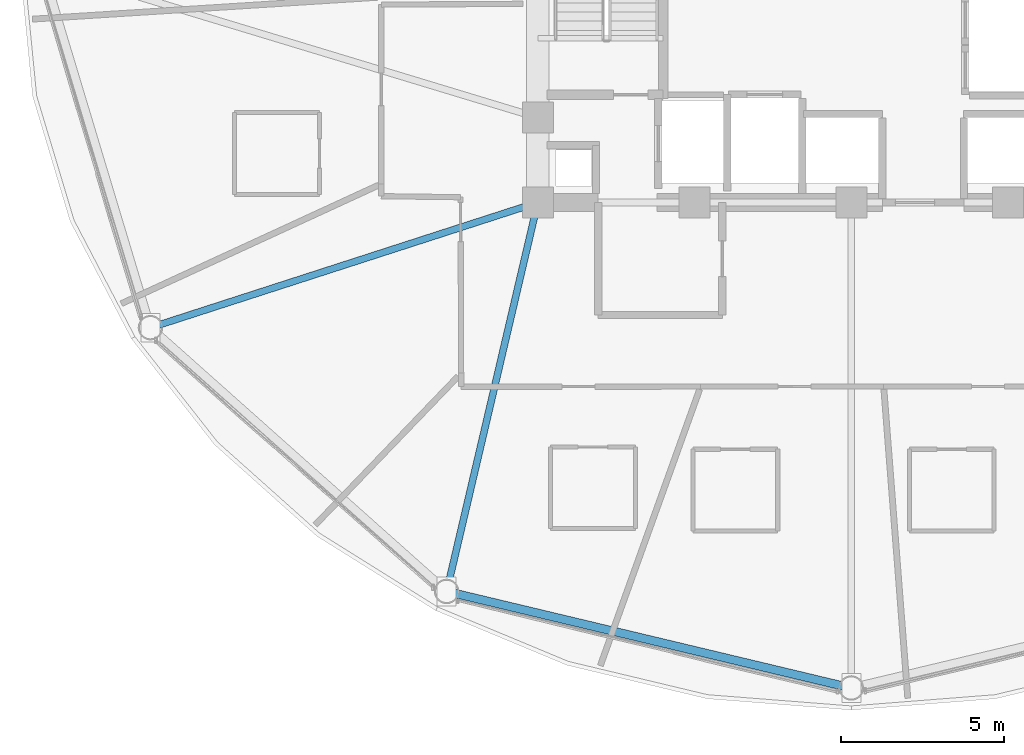
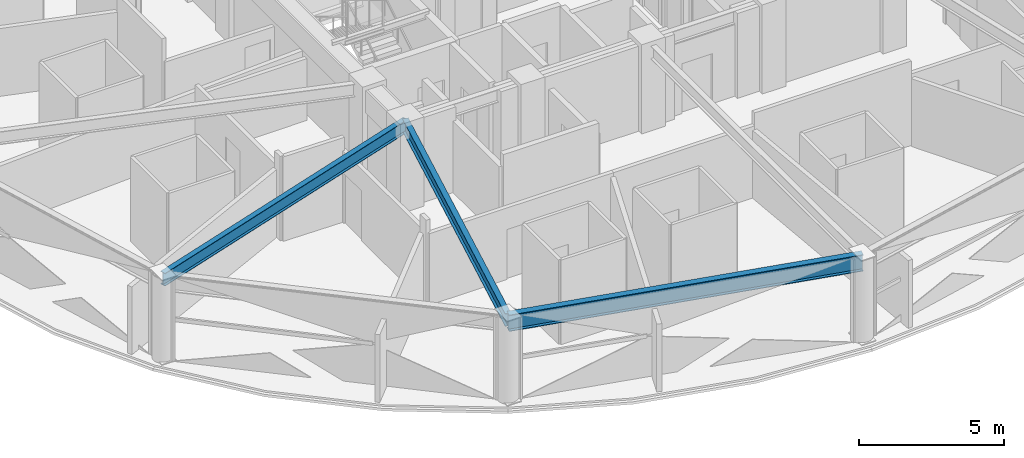
# One storey, part 4 of 30: 3 beams.
"""IFC4 building model written with IfcOpenShell, lengths in metres."""

import ifcopenshell
import ifcopenshell.guid

model = None  # the IFC model being written
_history = None  # IfcOwnerHistory: only IFC2X3 demands one
_inside = {}  # id of a spatial element -> (the spatial element, [elements in it])
_under = {}  # id of a project, library or spatial element -> (it, [spatial elements below it])
_declared = {}  # id of a project -> (the project, [libraries it declares])
_typed = {}  # id of a type object -> (the type object, [elements of that type])
_made_of = {}  # id of a material, layer set ... -> (it, [elements and type objects made of it])


def new_model(schema):
    """Start an empty IFC model of exactly this schema.

    Asked for "IFC4X3", IfcOpenShell would pick the latest addendum, in which some entities
    have other attributes; the version numbers below select the first issue.
    IFC2X3 requires an IfcOwnerHistory on every rooted entity: one is made here for all.
    """
    global model, _history
    if schema == "IFC4X3":
        model = ifcopenshell.file(schema_version=(4, 3, 0, 0))
    else:
        model = ifcopenshell.file(schema=schema)
    _inside.clear()
    _under.clear()
    _declared.clear()
    _typed.clear()
    _made_of.clear()
    _history = None
    if model.schema == "IFC2X3":
        org = make("IfcOrganization", Name="unknown")
        user = make(
            "IfcPersonAndOrganization",
            ThePerson=make("IfcPerson", FamilyName="unknown"),
            TheOrganization=org,
        )
        app = make(
            "IfcApplication",
            ApplicationDeveloper=org,
            Version="unknown",
            ApplicationFullName="unknown",
            ApplicationIdentifier="unknown",
        )
        _history = make(
            "IfcOwnerHistory",
            OwningUser=user,
            OwningApplication=app,
            ChangeAction="ADDED",
            CreationDate=0,
        )
    return model


def make(cls, **values):
    """One entity of the class cls with the attributes given. An attribute that is None is left unset."""
    return model.create_entity(
        cls, **{name: value for name, value in values.items() if value is not None}
    )


def rooted(cls, **values):
    """An entity with a GlobalId (a new one), such as an element, a storey or a relation."""
    return make(cls, GlobalId=ifcopenshell.guid.new(), OwnerHistory=_history, **values)


def si_unit(unit_type, name, prefix=None):
    """IfcSIUnit, for example si_unit("LENGTHUNIT", "METRE", prefix="MILLI")."""
    return make("IfcSIUnit", UnitType=unit_type, Prefix=prefix, Name=name)


def assignment(units):
    """IfcUnitAssignment: the units of a project."""
    return None if units is None else make("IfcUnitAssignment", Units=units)


def point(xyz):
    """IfcCartesianPoint."""
    return None if xyz is None else make("IfcCartesianPoint", Coordinates=xyz)


def direction(xyz):
    """IfcDirection."""
    return None if xyz is None else make("IfcDirection", DirectionRatios=xyz)


def frame(location, z_axis=None, x_axis=None):
    """IfcAxis2Placement3D, a coordinate frame: its origin and axes. An axis left out is left unset."""
    return make(
        "IfcAxis2Placement3D",
        Location=point(location),
        Axis=direction(z_axis),
        RefDirection=direction(x_axis),
    )


def frame_2d(location, x_axis=None):
    """IfcAxis2Placement2D, a coordinate frame in the plane: its origin and x axis."""
    return make(
        "IfcAxis2Placement2D", Location=point(location), RefDirection=direction(x_axis)
    )


def origin():
    """The frame at (0, 0, 0) with its axes left unset."""
    return frame((0.0, 0.0, 0.0))


def origin_2d():
    """The frame at (0, 0) in the plane with its x axis left unset."""
    return frame_2d((0.0, 0.0))


def place(relative_to, where):
    """IfcLocalPlacement: puts the frame where relative to a parent placement (None: the world)."""
    return make(
        "IfcLocalPlacement", PlacementRelTo=relative_to, RelativePlacement=where
    )


def context(
    kind, dimensions, precision=None, world=None, true_north=None, identifier=None
):
    """IfcGeometricRepresentationContext, for example the 3D "Model" context."""
    return make(
        "IfcGeometricRepresentationContext",
        ContextIdentifier=identifier,
        ContextType=kind,
        CoordinateSpaceDimension=dimensions,
        Precision=precision,
        WorldCoordinateSystem=world,
        TrueNorth=true_north,
    )


def subcontext(parent, identifier, kind, view, scale=None):
    """IfcGeometricRepresentationSubContext, for example "Body" below "Model"."""
    return make(
        "IfcGeometricRepresentationSubContext",
        ContextIdentifier=identifier,
        ContextType=kind,
        ParentContext=parent,
        TargetScale=scale,
        TargetView=view,
    )


def project(units=None, contexts=None):
    """IfcProject with its units and contexts."""
    return rooted(
        "IfcProject",
        Name="project",
        RepresentationContexts=contexts,
        UnitsInContext=assignment(units),
    )


def spatial(cls, under=None, at=None, **own):
    """A site, building, storey or space (cls), placed at a placement, below another one or the project."""
    s = rooted(cls, ObjectPlacement=at, **own)
    if under is not None:
        _under.setdefault(under.id(), (under, []))[1].append(s)
    return s


def profile(cls, at=None, kind="AREA", **sizes):
    """A parametric profile (cls). Its sizes go by their IFC names, for example OverallWidth=200.0."""
    return make(cls, ProfileType=kind, Position=at, **sizes)


def i_section(**sizes):
    """IfcIShapeProfileDef."""
    return profile("IfcIShapeProfileDef", **sizes)


def extrude(swept, where, along, depth):
    """IfcExtrudedAreaSolid: the profile swept, set in the frame where, extruded along a direction by depth."""
    return make(
        "IfcExtrudedAreaSolid",
        SweptArea=swept,
        Position=where,
        ExtrudedDirection=direction(along),
        Depth=depth,
    )


def shape(context_of_items, identifier, shape_type, items):
    """IfcShapeRepresentation: the items that make up one representation, for example the "Body"."""
    return make(
        "IfcShapeRepresentation",
        ContextOfItems=context_of_items,
        RepresentationIdentifier=identifier,
        RepresentationType=shape_type,
        Items=items,
    )


def material(Name=None, Category=None):
    """IfcMaterial."""
    return make("IfcMaterial", Name=Name, Category=Category)


def material_profile(
    of_material, cross_section, Name=None, Category=None, Priority=None
):
    """IfcMaterialProfile: a cross section and its material."""
    return make(
        "IfcMaterialProfile",
        Name=Name,
        Material=of_material,
        Profile=cross_section,
        Priority=Priority,
        Category=Category,
    )


def profile_set(profiles, Name=None, composite=None):
    """IfcMaterialProfileSet."""
    return make(
        "IfcMaterialProfileSet",
        Name=Name,
        MaterialProfiles=profiles,
        CompositeProfile=composite,
    )


def made_of(thing, what):
    """Note that an element or type object is made of a material, layer set ...; save() writes the relation."""
    if what is not None:
        _made_of.setdefault(what.id(), (what, []))[1].append(thing)
    return thing


def type_object(cls, material=None, **own):
    """A type object (cls), such as IfcWallType, which elements share."""
    return made_of(rooted(cls, **own), material)


def element(
    cls,
    number,
    at=None,
    inside=None,
    cuts=None,
    type_object=None,
    material=None,
    context=None,
    identifier="Body",
    shape_type=None,
    held_by="IfcProductDefinitionShape",
    body=None,
    shapes=None,
    **own,
):
    """One element of the class cls, such as IfcWall. Its Tag is "e" and its number.

    at: its placement. inside: the storey or other place that contains it. cuts: it is an
    opening in that element (IfcRelVoidsElement). A single representation is given by context,
    identifier, shape_type and body (its items); several are given by shapes. held_by: the class
    of the entity that holds the representations. save() writes the other relations.
    """
    e = rooted(cls, Tag="e%d" % number, ObjectPlacement=at, **own)
    if body is not None:
        shapes = [shape(context, identifier, shape_type, body)]
    if shapes is not None:
        e.Representation = make(held_by, Representations=shapes)
    if inside is not None:
        _inside.setdefault(inside.id(), (inside, []))[1].append(e)
    if cuts is not None:
        rooted(
            "IfcRelVoidsElement", RelatingBuildingElement=cuts, RelatedOpeningElement=e
        )
    if type_object is not None:
        _typed.setdefault(type_object.id(), (type_object, []))[1].append(e)
    return made_of(e, material)


def aggregate(whole, parts):
    """IfcRelAggregates: a whole, such as a stair, and the parts it consists of."""
    return rooted("IfcRelAggregates", RelatingObject=whole, RelatedObjects=parts)


def save(model, path):
    """Write the relations noted so far, then the file.

    IfcRelAggregates (storeys below a building ...), IfcRelContainedInSpatialStructure (elements
    in a storey), IfcRelDefinesByType, IfcRelAssociatesMaterial and IfcRelDeclares: one each for
    every whole, place, type object, material and project.
    """
    for whole, parts in _under.values():
        aggregate(whole, parts)
    for where, things in _inside.values():
        rooted(
            "IfcRelContainedInSpatialStructure",
            RelatedElements=things,
            RelatingStructure=where,
        )
    for kind, things in _typed.values():
        rooted("IfcRelDefinesByType", RelatedObjects=things, RelatingType=kind)
    for what, things in _made_of.values():
        rooted("IfcRelAssociatesMaterial", RelatedObjects=things, RelatingMaterial=what)
    for by, libraries in _declared.values():
        rooted("IfcRelDeclares", RelatingContext=by, RelatedDefinitions=libraries)
    model.write(path)


model = new_model("IFC4")

# Units and contexts
model_context = context("Model", 3, precision=1e-05, world=origin(), true_north=direction((0.0, 1.0)))
body_context = subcontext(model_context, "Body", "Model", "MODEL_VIEW")
ifc_project = project(units=[si_unit("LENGTHUNIT", "METRE"), si_unit("AREAUNIT", "SQUARE_METRE"), si_unit("VOLUMEUNIT", "CUBIC_METRE"), si_unit("PLANEANGLEUNIT", "RADIAN"), si_unit("MASSUNIT", "GRAM", prefix="KILO")], contexts=[model_context])

# Site, building, storey
site_placement = place(None, origin())
site = spatial("IfcSite", under=ifc_project, at=site_placement, CompositionType="ELEMENT")
building_placement = place(site_placement, origin())
building = spatial("IfcBuilding", under=site, at=building_placement, Name="Vantalir Tower", CompositionType="ELEMENT")
storey_placement = place(building_placement, frame((0.0, 0.0, 153.449951171875)))
storey = spatial("IfcBuildingStorey", under=building, at=storey_placement, Name="L38", CompositionType="ELEMENT", Elevation=153.449951171875)

# Beams
ifc_material_1 = material(Name="Steel S355", Category="steel")
ifc_material_profile_1 = material_profile(ifc_material_1, i_section(OverallWidth=0.2109375, OverallDepth=0.5390625, WebThickness=0.01171875, FlangeThickness=0.018798828125, at=origin_2d()), Name="Steel S355")
ifc_profile_set_1 = profile_set([ifc_material_profile_1], Name="Steel S355")
beam_type_1 = type_object("IfcBeamType", Name="BM-RB-533x210", PredefinedType="BEAM", material=ifc_profile_set_1)
beam_1_placement = place(storey_placement, frame((10.037109375, 13.965087890625, 3.301025390625), z_axis=(0.95151500296, 0.307602339298, 0.0), x_axis=(-0.307602339298, 0.95151500296, 0.0)))
element("IfcBeam", 1, at=beam_1_placement, inside=storey, type_object=beam_type_1, Name="L38 Radial Floor Beam 08", PredefinedType="BEAM", context=body_context, shape_type="SweptSolid", body=[
    extrude(i_section(OverallWidth=0.2109375, OverallDepth=0.5390625, WebThickness=0.01171875, FlangeThickness=0.018798828125, at=origin_2d()), origin(), (0.0, 0.0, 1.0), 12.46728515625),
])
beam_2_placement = place(storey_placement, frame((19.10791015625, 5.887939453125, 3.301025390625), z_axis=(0.228198416036, 0.973614648061, 0.0), x_axis=(-0.973614648061, 0.228198416036, 0.0)))
element("IfcBeam", 2, at=beam_2_placement, inside=storey, type_object=beam_type_1, Name="L38 Radial Floor Beam 09", PredefinedType="BEAM", context=body_context, shape_type="SweptSolid", body=[
    extrude(i_section(OverallWidth=0.2109375, OverallDepth=0.5390625, WebThickness=0.01171875, FlangeThickness=0.018798828125, at=origin_2d()), origin(), (0.0, 0.0, 1.0), 12.23486328125),
])
ifc_material_2 = material(Name="Steel S460", Category="steel")
ifc_material_profile_2 = material_profile(ifc_material_2, i_section(OverallWidth=0.256103515625, OverallDepth=0.693115234375, WebThickness=0.014404296875, FlangeThickness=0.023681640625, at=origin_2d()), Name="Steel S460")
ifc_profile_set_2 = profile_set([ifc_material_profile_2], Name="Steel S460")
beam_type_2 = type_object("IfcBeamType", Name="BM-RG-686x254", PredefinedType="USERDEFINED", material=ifc_profile_set_2)
beam_3_placement = place(storey_placement, frame((19.10791015625, 5.887939453125, 3.22412109375), z_axis=(0.972690538126, -0.232105831549, 0.0), x_axis=(0.232105831549, 0.972690538126, 0.0)))
element("IfcBeam", 3, at=beam_3_placement, inside=storey, type_object=beam_type_2, Name="L38 Circumferential Ring Girder 09", ObjectType="GIRDER", PredefinedType="USERDEFINED", context=body_context, shape_type="SweptSolid", body=[
    extrude(i_section(OverallWidth=0.256103515625, OverallDepth=0.693115234375, WebThickness=0.014404296875, FlangeThickness=0.023681640625, at=origin_2d()), origin(), (0.0, 0.0, 1.0), 12.739990234375),
])

save(model, "model.ifc")
